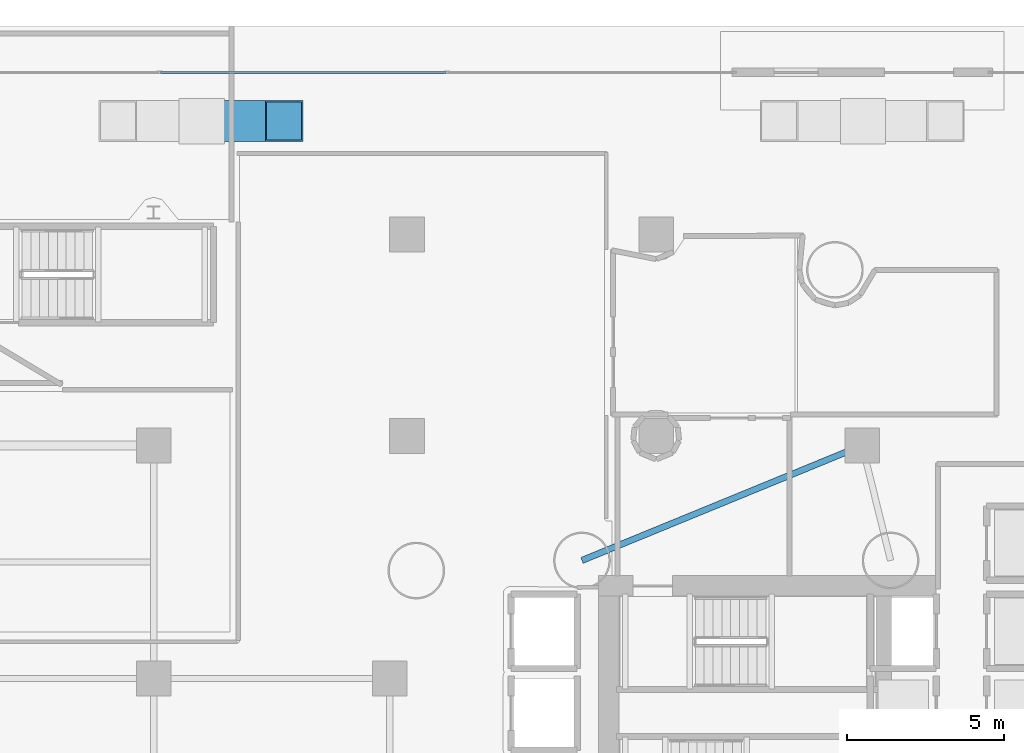
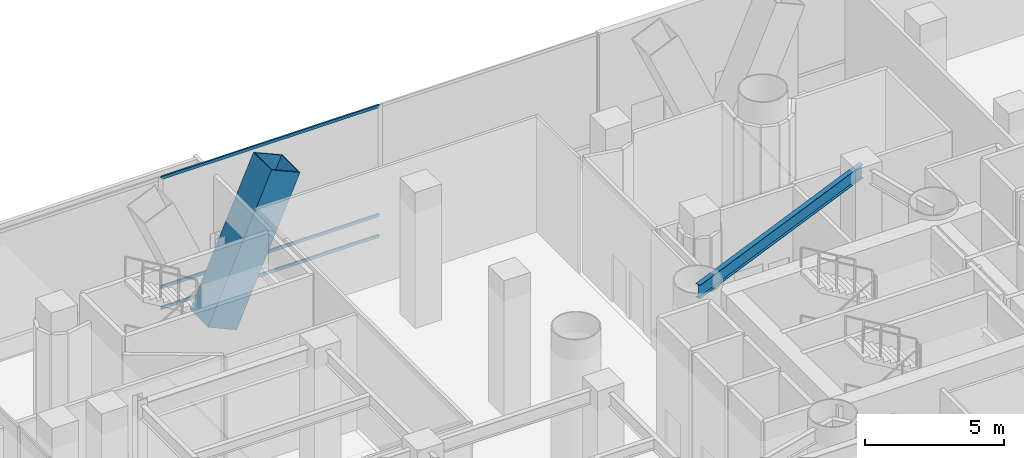
# One storey, part 17 of 40: 4 members, 1 beam, 1 element without a shape of its own.
"""IFC4 building model written with IfcOpenShell, lengths in metres."""

from ifc_helpers import new_model, si_unit, direction, frame, origin, origin_2d, place, context, subcontext, project, spatial, hollow_rectangle, i_section, extrude, material, layer, layer_set, material_profile, profile_set, type_object, element, aggregate, save


model = new_model("IFC4")

# Units and contexts
model_context = context("Model", 3, precision=1e-05, world=origin(), true_north=direction((0.0, 1.0)))
body_context = subcontext(model_context, "Body", "Model", "MODEL_VIEW")
ifc_project = project(units=[si_unit("LENGTHUNIT", "METRE"), si_unit("AREAUNIT", "SQUARE_METRE"), si_unit("VOLUMEUNIT", "CUBIC_METRE"), si_unit("PLANEANGLEUNIT", "RADIAN"), si_unit("MASSUNIT", "GRAM", prefix="KILO")], contexts=[model_context])

# Site, building, storey
site_placement = place(None, origin())
site = spatial("IfcSite", under=ifc_project, at=site_placement, CompositionType="ELEMENT")
building_placement = place(site_placement, origin())
building = spatial("IfcBuilding", under=site, at=building_placement, Name="Qianvela Tower", CompositionType="ELEMENT")
storey_placement = place(building_placement, origin())
storey = spatial("IfcBuildingStorey", under=building, at=storey_placement, Name="L00", CompositionType="ELEMENT", Elevation=0.0)

# Beam
ifc_material_1 = material(Name="Steel Q355B", Category="steel")
ifc_material_profile_1 = material_profile(ifc_material_1, i_section(OverallWidth=0.199951171875, OverallDepth=0.60009765625, WebThickness=0.010986328125, FlangeThickness=0.01708984375, at=origin_2d()), Name="HN600x200x11x17")
ifc_profile_set_1 = profile_set([ifc_material_profile_1], Name="Steel Q355B")
beam_type = type_object("IfcBeamType", Name="BM-HN600-GIRD", PredefinedType="BEAM", material=ifc_profile_set_1)
beam_placement = place(storey_placement, frame((28.60009765625, 33.550048828125, 5.47802734375), z_axis=(0.925217514763, 0.379437149441, 0.0), x_axis=(-0.379437149441, 0.925217514763, 0.0)))
element("IfcBeam", 1, at=beam_placement, inside=storey, type_object=beam_type, Name="L00 Core Tie Girder 36", PredefinedType="BEAM", context=body_context, shape_type="SweptSolid", body=[
    extrude(i_section(OverallWidth=0.199951171875, OverallDepth=0.60009765625, WebThickness=0.010986328125, FlangeThickness=0.01708984375, at=origin_2d()), origin(), (0.0, 0.0, 1.0), 9.619140625),
])

# Curtain wall, members
ifc_material_2 = material(Name="Anodised Architectural Aluminium and Low-E Glass", Category="aluminium")
ifc_layer = layer(ifc_material_2, 0.199951171875)
ifc_layer_set = layer_set([ifc_layer], Name="Anodised Architectural Aluminium and Low-E Glass")
curtain_wall_type = type_object("IfcCurtainWallType", Name="CW-CONCOURSE", PredefinedType="USERDEFINED", material=ifc_layer_set)
curtain_wall_placement = place(storey_placement, origin())
curtain_wall = element("IfcCurtainWall", 2, at=curtain_wall_placement, inside=storey, type_object=curtain_wall_type, Name="L00 CW-CONCOURSE Curtain Wall 05B", ObjectType="CURTAIN_WALL_SYSTEM", PredefinedType="USERDEFINED")
ifc_material_3 = material(Name="Anodised Architectural Aluminium 6063-T6", Category="aluminium")
ifc_material_profile_2 = material_profile(ifc_material_3, hollow_rectangle(XDim=0.06494140625, YDim=0.1298828125, WallThickness=0.00439453125, at=origin_2d()), Name="ALU-TRAN-65x130")
ifc_profile_set_2 = profile_set([ifc_material_profile_2], Name="Anodised Architectural Aluminium 6063-T6")
member_type_1 = type_object("IfcMemberType", Name="CW-CONCOURSE-TRAN", PredefinedType="USERDEFINED", material=ifc_profile_set_2)
member_1_placement = place(storey_placement, frame((24.28173828125, 49.050048828125, 0.032470703125), z_axis=(-1.0, 0.0, 0.0), x_axis=(0.0, -1.0, 0.0)))
member_1 = element("IfcMember", 3, at=member_1_placement, type_object=member_type_1, Name="CW-1 transom 2.1", ObjectType="TRANSOM", PredefinedType="USERDEFINED", context=body_context, shape_type="SweptSolid", body=[
    extrude(hollow_rectangle(XDim=0.06494140625, YDim=0.1298828125, WallThickness=0.00439453125, at=origin_2d()), origin(), (0.0, 0.0, 1.0), 9.0634765625),
])
member_2_placement = place(storey_placement, frame((24.28173828125, 49.050048828125, 0.949951171875), z_axis=(-1.0, 0.0, 0.0), x_axis=(0.0, -1.0, 0.0)))
member_2 = element("IfcMember", 4, at=member_2_placement, type_object=member_type_1, Name="CW-1 transom 2.2", ObjectType="TRANSOM", PredefinedType="USERDEFINED", context=body_context, shape_type="SweptSolid", body=[
    extrude(hollow_rectangle(XDim=0.06494140625, YDim=0.1298828125, WallThickness=0.00439453125, at=origin_2d()), origin(), (0.0, 0.0, 1.0), 9.0634765625),
])
member_3_placement = place(storey_placement, frame((24.28173828125, 49.050048828125, 5.74755859375), z_axis=(-1.0, 0.0, 0.0), x_axis=(0.0, -1.0, 0.0)))
member_3 = element("IfcMember", 5, at=member_3_placement, type_object=member_type_1, Name="CW-1 transom 2.3", ObjectType="TRANSOM", PredefinedType="USERDEFINED", context=body_context, shape_type="SweptSolid", body=[
    extrude(hollow_rectangle(XDim=0.06494140625, YDim=0.1298828125, WallThickness=0.00439453125, at=origin_2d()), origin(), (0.0, 0.0, 1.0), 9.0634765625),
])
aggregate(curtain_wall, [member_1, member_2, member_3])

# Member
ifc_material_4 = material(Name="Steel Q420GJC", Category="steel")
ifc_material_profile_3 = material_profile(ifc_material_4, hollow_rectangle(XDim=1.300048828125, YDim=1.300048828125, WallThickness=0.044921875, at=origin_2d()), Name="VBOX-1300x1300x45")
ifc_profile_set_3 = profile_set([ifc_material_profile_3], Name="Steel Q420GJC")
member_type_2 = type_object("IfcMemberType", Name="MBR-VCOL-1300", PredefinedType="POST", material=ifc_profile_set_3)
member_4_placement = place(storey_placement, frame((16.5, 47.5, 0.0), z_axis=(0.402662474024, 0.0, 0.91534853035), x_axis=(0.0, 1.0, 0.0)))
element("IfcMember", 6, at=member_4_placement, inside=storey, type_object=member_type_2, Name="L00 Concourse Inclined V-Column VC-N1 Leg R", PredefinedType="POST", context=body_context, shape_type="SweptSolid", body=[
    extrude(hollow_rectangle(XDim=1.300048828125, YDim=1.300048828125, WallThickness=0.044921875, at=origin_2d()), origin(), (0.0, 0.0, 1.0), 6.554931640625),
])

save(model, "model.ifc")
